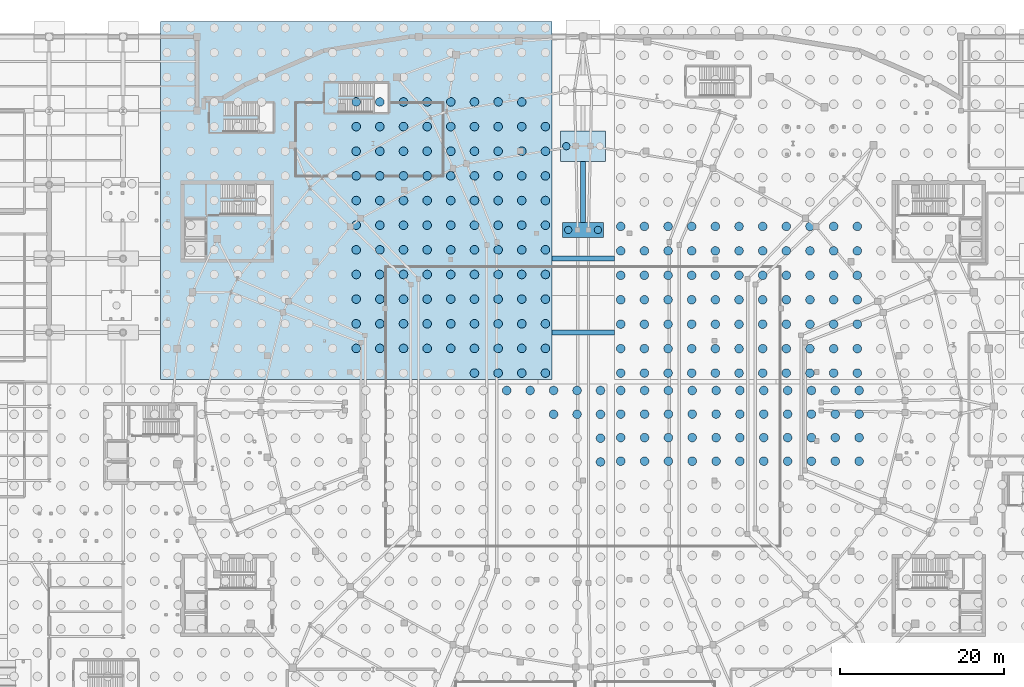
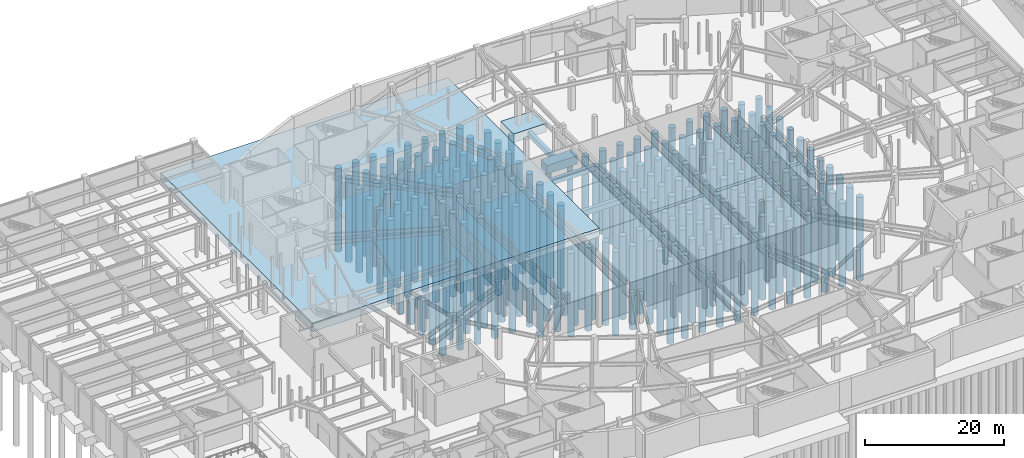
# One storey, part 6 of 56: 236 piles, 6 footings.
"""IFC4 building model written with IfcOpenShell, lengths in metres."""

from ifc_helpers import new_model, si_unit, direction, frame, origin, origin_2d, place, context, subcontext, project, spatial, polyline, rectangle, circle, outline, extrude, material, material_profile, profile_set, type_object, element, save


model = new_model("IFC4")

# Units and contexts
model_context = context("Model", 3, precision=1e-05, world=origin(), true_north=direction((0.0, 1.0)))
body_context = subcontext(model_context, "Body", "Model", "MODEL_VIEW")
ifc_project = project(units=[si_unit("LENGTHUNIT", "METRE"), si_unit("AREAUNIT", "SQUARE_METRE"), si_unit("VOLUMEUNIT", "CUBIC_METRE"), si_unit("PLANEANGLEUNIT", "RADIAN"), si_unit("MASSUNIT", "GRAM", prefix="KILO")], contexts=[model_context])

# Site, building, storey
site_placement = place(None, origin())
site = spatial("IfcSite", under=ifc_project, at=site_placement, CompositionType="ELEMENT")
building_placement = place(site_placement, origin())
building = spatial("IfcBuilding", under=site, at=building_placement, Name="Glasvene Arena", CompositionType="ELEMENT")
storey_placement = place(building_placement, frame((0.0, 0.0, -5.39990234375)))
storey = spatial("IfcBuildingStorey", under=building, at=storey_placement, Name="B1", CompositionType="ELEMENT", Elevation=-5.39990234375)

# Footings
ifc_material = material(Name="Concrete C40/50", Category="concrete")
footing_type_1 = type_object("IfcFootingType", Name="FT-FB-600x900", PredefinedType="FOOTING_BEAM", material=ifc_material)
footing_1_placement = place(storey_placement, frame((92.0, 99.118408203125, -1.35009765625)))
element("IfcFooting", 1, at=footing_1_placement, inside=storey, type_object=footing_type_1, Name="Ground tie beam 0054", PredefinedType="FOOTING_BEAM", context=body_context, shape_type="SweptSolid", body=[
    extrude(outline(polyline([(-0.300048828125, -3.723388671875), (0.300048828125, -3.723388671875), (0.300048828125, 3.7236328125), (-0.300048828125, 3.7236328125), (-0.300048828125, -3.723388671875)])), origin(), (0.0, 0.0, 1.0), 0.89990234375),
])
for number, where, name in (
    (2, (92.0, 82.0, -1.35009765625), "Ground tie beam 0111"),
    (3, (92.0, 91.0, -1.35009765625), "Ground tie beam 0120"),
):
    element("IfcFooting", number, at=place(storey_placement, frame(where)), inside=storey, type_object=footing_type_1, Name=name, PredefinedType="FOOTING_BEAM", context=body_context, shape_type="SweptSolid", body=[
        extrude(outline(polyline([(-3.80810546875, -0.300048828125), (3.80810546875, -0.300048828125), (3.80810546875, 0.300048828125), (-3.80810546875, 0.300048828125), (-3.80810546875, -0.300048828125)])), origin(), (0.0, 0.0, 1.0), 0.89990234375),
    ])
footing_type_2 = type_object("IfcFootingType", Name="FT-PC-4763x4356", PredefinedType="PILE_CAP", material=ifc_material)
footing_2_placement = place(storey_placement, frame((64.37890625, 98.072021484375, -1.5), z_axis=(0.0, 0.0, 1.0), x_axis=(1.0, 0.0, 0.0)))
element("IfcFooting", 4, at=footing_2_placement, inside=storey, type_object=footing_type_2, Name="Pile cap 050", PredefinedType="PILE_CAP", context=body_context, shape_type="SweptSolid", body=[
    extrude(rectangle(XDim=47.6259765625, YDim=43.555908203125, at=origin_2d()), origin(), (0.0, 0.0, 1.0), 1.5),
])
footing_type_3 = type_object("IfcFootingType", Name="FT-PC-502x180", PredefinedType="PILE_CAP", material=ifc_material)
footing_3_placement = place(storey_placement, frame((92.0, 94.494384765625, -1.5), z_axis=(0.0, 0.0, 1.0), x_axis=(1.0, 0.0, 0.0)))
element("IfcFooting", 5, at=footing_3_placement, inside=storey, type_object=footing_type_3, Name="Pile cap 072", PredefinedType="PILE_CAP", context=body_context, shape_type="SweptSolid", body=[
    extrude(rectangle(XDim=5.01611328125, YDim=1.801025390625, at=origin_2d()), origin(), (0.0, 0.0, 1.0), 1.5),
])
footing_type_4 = type_object("IfcFootingType", Name="FT-PC-548x370", PredefinedType="PILE_CAP", material=ifc_material)
footing_4_placement = place(storey_placement, frame((92.0, 104.69189453125, -1.5), z_axis=(0.0, 0.0, 1.0), x_axis=(1.0, 0.0, 0.0)))
element("IfcFooting", 6, at=footing_4_placement, inside=storey, type_object=footing_type_4, Name="Pile cap 084", PredefinedType="PILE_CAP", context=body_context, shape_type="SweptSolid", body=[
    extrude(rectangle(XDim=5.47802734375, YDim=3.699951171875, at=origin_2d()), origin(), (0.0, 0.0, 1.0), 1.5),
])

# Piles
ifc_material_profile_1 = material_profile(ifc_material, circle(Radius=0.52490234375, at=origin_2d()), Name="BORED PILE 1050")
ifc_profile_set_1 = profile_set([ifc_material_profile_1], Name="Concrete C40/50")
pile_type_1 = type_object("IfcPileType", Name="PL-BP1050", PredefinedType="BORED", material=ifc_profile_set_1)
for number, where, z_axis, x_axis, name in (
    (7, (82.696044921875, 74.948974609375, -1.35009765625), (0.0, 0.0, -1.0), (1.0, 0.0, 0.0), "Bored pile 0505"),
    (8, (85.5517578125, 74.948974609375, -1.35009765625), (0.0, 0.0, -1.0), (1.0, 0.0, 0.0), "Bored pile 0526"),
    (9, (88.407470703125, 72.0478515625, -1.35009765625), (0.0, 0.0, -1.0), (1.0, 0.0, 0.0), "Bored pile 0546"),
    (10, (88.407470703125, 74.948974609375, -1.35009765625), (0.0, 0.0, -1.0), (1.0, 0.0, 0.0), "Bored pile 0547"),
    (11, (91.26318359375, 72.0478515625, -1.35009765625), (0.0, 0.0, -1.0), (1.0, 0.0, 0.0), "Bored pile 0567"),
    (12, (91.26318359375, 74.948974609375, -1.35009765625), (0.0, 0.0, -1.0), (1.0, 0.0, 0.0), "Bored pile 0568"),
    (13, (94.118896484375, 66.245361328125, -1.35009765625), (0.0, 0.0, -1.0), (1.0, 0.0, 0.0), "Bored pile 0586"),
    (14, (94.118896484375, 69.146484375, -1.35009765625), (0.0, 0.0, -1.0), (1.0, 0.0, 0.0), "Bored pile 0587"),
    (15, (94.118896484375, 72.0478515625, -1.35009765625), (0.0, 0.0, -1.0), (1.0, 0.0, 0.0), "Bored pile 0588"),
    (16, (94.118896484375, 74.948974609375, -1.35009765625), (0.0, 0.0, -1.0), (1.0, 0.0, 0.0), "Bored pile 0589"),
    (17, (96.5830078125, 66.33984375, -1.35009765625), (0.0, 0.0, -1.0), (1.0, 0.0, 0.0), "Bored pile 0606"),
    (18, (96.5830078125, 69.209716796875, -1.35009765625), (0.0, 0.0, -1.0), (1.0, 0.0, 0.0), "Bored pile 0607"),
    (19, (96.5830078125, 72.079345703125, -1.35009765625), (0.0, 0.0, -1.0), (1.0, 0.0, 0.0), "Bored pile 0608"),
    (20, (96.5830078125, 74.948974609375, -1.35009765625), (0.0, 0.0, -1.0), (1.0, 0.0, 0.0), "Bored pile 0609"),
    (21, (99.48486328125, 66.33984375, -1.35009765625), (0.0, 0.0, -1.0), (1.0, 0.0, 0.0), "Bored pile 0626"),
    (22, (99.48486328125, 69.209716796875, -1.35009765625), (0.0, 0.0, -1.0), (1.0, 0.0, 0.0), "Bored pile 0627"),
    (23, (99.48486328125, 72.079345703125, -1.35009765625), (0.0, 0.0, -1.0), (1.0, 0.0, 0.0), "Bored pile 0628"),
    (24, (99.48486328125, 74.948974609375, -1.35009765625), (0.0, 0.0, -1.0), (1.0, 0.0, 0.0), "Bored pile 0629"),
    (25, (102.38671875, 66.33984375, -1.35009765625), (0.0, 0.0, -1.0), (1.0, 0.0, 0.0), "Bored pile 0646"),
    (26, (102.38671875, 69.209716796875, -1.35009765625), (0.0, 0.0, -1.0), (1.0, 0.0, 0.0), "Bored pile 0647"),
    (27, (102.38671875, 72.079345703125, -1.35009765625), (0.0, 0.0, -1.0), (1.0, 0.0, 0.0), "Bored pile 0648"),
    (28, (102.38671875, 74.948974609375, -1.35009765625), (0.0, 0.0, -1.0), (1.0, 0.0, 0.0), "Bored pile 0649"),
    (29, (105.288818359375, 66.33984375, -1.35009765625), (0.0, 0.0, -1.0), (1.0, 0.0, 0.0), "Bored pile 0666"),
    (30, (105.288818359375, 69.209716796875, -1.35009765625), (0.0, 0.0, -1.0), (1.0, 0.0, 0.0), "Bored pile 0667"),
    (31, (105.288818359375, 72.079345703125, -1.35009765625), (0.0, 0.0, -1.0), (1.0, 0.0, 0.0), "Bored pile 0668"),
    (32, (105.288818359375, 74.948974609375, -1.35009765625), (0.0, 0.0, -1.0), (1.0, 0.0, 0.0), "Bored pile 0669"),
    (33, (108.190673828125, 66.33984375, -1.35009765625), (0.0, 0.0, -1.0), (1.0, 0.0, 0.0), "Bored pile 0686"),
    (34, (108.190673828125, 69.209716796875, -1.35009765625), (0.0, 0.0, -1.0), (1.0, 0.0, 0.0), "Bored pile 0687"),
    (35, (108.190673828125, 72.079345703125, -1.35009765625), (0.0, 0.0, -1.0), (1.0, 0.0, 0.0), "Bored pile 0688"),
    (36, (108.190673828125, 74.948974609375, -1.35009765625), (0.0, 0.0, -1.0), (1.0, 0.0, 0.0), "Bored pile 0689"),
    (37, (111.092529296875, 66.33984375, -1.35009765625), (0.0, 0.0, -1.0), (1.0, 0.0, 0.0), "Bored pile 0706"),
    (38, (111.092529296875, 69.209716796875, -1.35009765625), (0.0, 0.0, -1.0), (1.0, 0.0, 0.0), "Bored pile 0707"),
    (39, (111.092529296875, 72.079345703125, -1.35009765625), (0.0, 0.0, -1.0), (1.0, 0.0, 0.0), "Bored pile 0708"),
    (40, (111.092529296875, 74.948974609375, -1.35009765625), (0.0, 0.0, -1.0), (1.0, 0.0, 0.0), "Bored pile 0709"),
    (41, (113.994384765625, 66.33984375, -1.35009765625), (0.0, 0.0, -1.0), (1.0, 0.0, 0.0), "Bored pile 0726"),
    (42, (113.994384765625, 69.209716796875, -1.35009765625), (0.0, 0.0, -1.0), (1.0, 0.0, 0.0), "Bored pile 0727"),
    (43, (113.994384765625, 72.079345703125, -1.35009765625), (0.0, 0.0, -1.0), (1.0, 0.0, 0.0), "Bored pile 0728"),
    (44, (113.994384765625, 74.948974609375, -1.35009765625), (0.0, 0.0, -1.0), (1.0, 0.0, 0.0), "Bored pile 0729"),
    (45, (116.896484375, 66.33984375, -1.35009765625), (0.0, 0.0, -1.0), (1.0, 0.0, 0.0), "Bored pile 0746"),
    (46, (116.896484375, 69.209716796875, -1.35009765625), (0.0, 0.0, -1.0), (1.0, 0.0, 0.0), "Bored pile 0747"),
    (47, (116.896484375, 72.079345703125, -1.35009765625), (0.0, 0.0, -1.0), (1.0, 0.0, 0.0), "Bored pile 0748"),
    (48, (116.896484375, 74.948974609375, -1.35009765625), (0.0, 0.0, -1.0), (1.0, 0.0, 0.0), "Bored pile 0749"),
    (49, (119.79833984375, 66.33984375, -1.35009765625), (0.0, 0.0, -1.0), (1.0, 0.0, 0.0), "Bored pile 0766"),
    (50, (119.79833984375, 69.209716796875, -1.35009765625), (0.0, 0.0, -1.0), (1.0, 0.0, 0.0), "Bored pile 0767"),
    (51, (119.79833984375, 72.079345703125, -1.35009765625), (0.0, 0.0, -1.0), (1.0, 0.0, 0.0), "Bored pile 0768"),
    (52, (119.79833984375, 74.948974609375, -1.35009765625), (0.0, 0.0, -1.0), (1.0, 0.0, 0.0), "Bored pile 0769"),
    (53, (122.7001953125, 66.33984375, -1.35009765625), (0.0, 0.0, -1.0), (1.0, 0.0, 0.0), "Bored pile 0786"),
    (54, (122.7001953125, 69.209716796875, -1.35009765625), (0.0, 0.0, -1.0), (1.0, 0.0, 0.0), "Bored pile 0787"),
    (55, (122.7001953125, 72.079345703125, -1.35009765625), (0.0, 0.0, -1.0), (1.0, 0.0, 0.0), "Bored pile 0788"),
    (56, (122.7001953125, 74.948974609375, -1.35009765625), (0.0, 0.0, -1.0), (1.0, 0.0, 0.0), "Bored pile 0789"),
    (57, (125.60205078125, 66.33984375, -1.35009765625), (0.0, 0.0, -1.0), (1.0, 0.0, 0.0), "Bored pile 0806"),
    (58, (125.60205078125, 69.209716796875, -1.35009765625), (0.0, 0.0, -1.0), (1.0, 0.0, 0.0), "Bored pile 0807"),
    (59, (125.60205078125, 72.079345703125, -1.35009765625), (0.0, 0.0, -1.0), (1.0, 0.0, 0.0), "Bored pile 0808"),
    (60, (125.60205078125, 74.948974609375, -1.35009765625), (0.0, 0.0, -1.0), (1.0, 0.0, 0.0), "Bored pile 0809"),
    (61, (64.37890625, 80.0693359375, -1.35009765625), (0.0, 0.0, -1.0), (1.0, 0.0, 0.0), "Bored pile 1208"),
    (62, (64.37890625, 83.06982421875, -1.35009765625), (0.0, 0.0, -1.0), (1.0, 0.0, 0.0), "Bored pile 1209"),
    (63, (64.37890625, 86.0703125, -1.35009765625), (0.0, 0.0, -1.0), (1.0, 0.0, 0.0), "Bored pile 1210"),
    (64, (64.37890625, 89.07080078125, -1.35009765625), (0.0, 0.0, -1.0), (1.0, 0.0, 0.0), "Bored pile 1211"),
    (65, (64.37890625, 92.071044921875, -1.35009765625), (0.0, 0.0, -1.0), (1.0, 0.0, 0.0), "Bored pile 1212"),
    (66, (64.37890625, 95.071533203125, -1.35009765625), (0.0, 0.0, -1.0), (1.0, 0.0, 0.0), "Bored pile 1213"),
    (67, (64.37890625, 98.072021484375, -1.35009765625), (0.0, 0.0, -1.0), (1.0, 0.0, 0.0), "Bored pile 1214"),
    (68, (64.37890625, 101.072509765625, -1.35009765625), (0.0, 0.0, -1.0), (1.0, 0.0, 0.0), "Bored pile 1215"),
    (69, (64.37890625, 104.072998046875, -1.35009765625), (0.0, 0.0, -1.0), (1.0, 0.0, 0.0), "Bored pile 1216"),
    (70, (64.37890625, 107.0732421875, -1.35009765625), (0.0, 0.0, -1.0), (1.0, 0.0, 0.0), "Bored pile 1217"),
    (71, (64.37890625, 110.07373046875, -1.35009765625), (0.0, 0.0, -1.0), (1.0, 0.0, 0.0), "Bored pile 1218"),
    (72, (67.2587890625, 80.0693359375, -1.35009765625), (0.0, 0.0, -1.0), (1.0, 0.0, 0.0), "Bored pile 1223"),
    (73, (67.2587890625, 83.06982421875, -1.35009765625), (0.0, 0.0, -1.0), (1.0, 0.0, 0.0), "Bored pile 1224"),
    (74, (67.2587890625, 86.0703125, -1.35009765625), (0.0, 0.0, -1.0), (1.0, 0.0, 0.0), "Bored pile 1225"),
    (75, (67.2587890625, 89.07080078125, -1.35009765625), (0.0, 0.0, -1.0), (1.0, 0.0, 0.0), "Bored pile 1226"),
    (76, (67.2587890625, 92.071044921875, -1.35009765625), (0.0, 0.0, -1.0), (1.0, 0.0, 0.0), "Bored pile 1227"),
    (77, (67.2587890625, 95.071533203125, -1.35009765625), (0.0, 0.0, -1.0), (1.0, 0.0, 0.0), "Bored pile 1228"),
    (78, (67.2587890625, 98.072021484375, -1.35009765625), (0.0, 0.0, -1.0), (1.0, 0.0, 0.0), "Bored pile 1229"),
    (79, (67.2587890625, 101.072509765625, -1.35009765625), (0.0, 0.0, -1.0), (1.0, 0.0, 0.0), "Bored pile 1230"),
    (80, (67.2587890625, 104.072998046875, -1.35009765625), (0.0, 0.0, -1.0), (1.0, 0.0, 0.0), "Bored pile 1231"),
    (81, (67.2587890625, 107.0732421875, -1.35009765625), (0.0, 0.0, -1.0), (1.0, 0.0, 0.0), "Bored pile 1232"),
    (82, (67.2587890625, 110.07373046875, -1.35009765625), (0.0, 0.0, -1.0), (1.0, 0.0, 0.0), "Bored pile 1233"),
    (83, (70.138427734375, 80.0693359375, -1.35009765625), (0.0, 0.0, -1.0), (1.0, 0.0, 0.0), "Bored pile 1238"),
    (84, (70.138427734375, 83.06982421875, -1.35009765625), (0.0, 0.0, -1.0), (1.0, 0.0, 0.0), "Bored pile 1239"),
    (85, (70.138427734375, 86.0703125, -1.35009765625), (0.0, 0.0, -1.0), (1.0, 0.0, 0.0), "Bored pile 1240"),
    (86, (70.138427734375, 89.07080078125, -1.35009765625), (0.0, 0.0, -1.0), (1.0, 0.0, 0.0), "Bored pile 1241"),
    (87, (70.138427734375, 92.071044921875, -1.35009765625), (0.0, 0.0, -1.0), (1.0, 0.0, 0.0), "Bored pile 1242"),
    (88, (70.138427734375, 95.071533203125, -1.35009765625), (0.0, 0.0, -1.0), (1.0, 0.0, 0.0), "Bored pile 1243"),
    (89, (70.138427734375, 98.072021484375, -1.35009765625), (0.0, 0.0, -1.0), (1.0, 0.0, 0.0), "Bored pile 1244"),
    (90, (70.138427734375, 101.072509765625, -1.35009765625), (0.0, 0.0, -1.0), (1.0, 0.0, 0.0), "Bored pile 1245"),
    (91, (70.138427734375, 104.072998046875, -1.35009765625), (0.0, 0.0, -1.0), (1.0, 0.0, 0.0), "Bored pile 1246"),
    (92, (70.138427734375, 107.0732421875, -1.35009765625), (0.0, 0.0, -1.0), (1.0, 0.0, 0.0), "Bored pile 1247"),
    (93, (70.138427734375, 110.07373046875, -1.35009765625), (0.0, 0.0, -1.0), (1.0, 0.0, 0.0), "Bored pile 1248"),
    (94, (73.018310546875, 80.0693359375, -1.35009765625), (0.0, 0.0, -1.0), (1.0, 0.0, 0.0), "Bored pile 1253"),
    (95, (73.018310546875, 83.06982421875, -1.35009765625), (0.0, 0.0, -1.0), (1.0, 0.0, 0.0), "Bored pile 1254"),
    (96, (73.018310546875, 86.0703125, -1.35009765625), (0.0, 0.0, -1.0), (1.0, 0.0, 0.0), "Bored pile 1255"),
    (97, (73.018310546875, 89.07080078125, -1.35009765625), (0.0, 0.0, -1.0), (1.0, 0.0, 0.0), "Bored pile 1256"),
    (98, (73.018310546875, 92.071044921875, -1.35009765625), (0.0, 0.0, -1.0), (1.0, 0.0, 0.0), "Bored pile 1257"),
    (99, (73.018310546875, 95.071533203125, -1.35009765625), (0.0, 0.0, -1.0), (1.0, 0.0, 0.0), "Bored pile 1258"),
    (100, (73.018310546875, 98.072021484375, -1.35009765625), (0.0, 0.0, -1.0), (1.0, 0.0, 0.0), "Bored pile 1259"),
    (101, (73.018310546875, 101.072509765625, -1.35009765625), (0.0, 0.0, -1.0), (1.0, 0.0, 0.0), "Bored pile 1260"),
    (102, (73.018310546875, 104.072998046875, -1.35009765625), (0.0, 0.0, -1.0), (1.0, 0.0, 0.0), "Bored pile 1261"),
    (103, (73.018310546875, 107.0732421875, -1.35009765625), (0.0, 0.0, -1.0), (1.0, 0.0, 0.0), "Bored pile 1262"),
    (104, (73.018310546875, 110.07373046875, -1.35009765625), (0.0, 0.0, -1.0), (1.0, 0.0, 0.0), "Bored pile 1263"),
    (105, (75.89794921875, 80.0693359375, -1.35009765625), (0.0, 0.0, -1.0), (1.0, 0.0, 0.0), "Bored pile 1268"),
    (106, (75.89794921875, 83.06982421875, -1.35009765625), (0.0, 0.0, -1.0), (1.0, 0.0, 0.0), "Bored pile 1269"),
    (107, (75.89794921875, 86.0703125, -1.35009765625), (0.0, 0.0, -1.0), (1.0, 0.0, 0.0), "Bored pile 1270"),
    (108, (75.89794921875, 89.07080078125, -1.35009765625), (0.0, 0.0, -1.0), (1.0, 0.0, 0.0), "Bored pile 1271"),
    (109, (75.89794921875, 92.071044921875, -1.35009765625), (0.0, 0.0, -1.0), (1.0, 0.0, 0.0), "Bored pile 1272"),
    (110, (75.89794921875, 95.071533203125, -1.35009765625), (0.0, 0.0, -1.0), (1.0, 0.0, 0.0), "Bored pile 1273"),
    (111, (75.89794921875, 98.072021484375, -1.35009765625), (0.0, 0.0, -1.0), (1.0, 0.0, 0.0), "Bored pile 1274"),
    (112, (75.89794921875, 101.072509765625, -1.35009765625), (0.0, 0.0, -1.0), (1.0, 0.0, 0.0), "Bored pile 1275"),
    (113, (75.89794921875, 104.072998046875, -1.35009765625), (0.0, 0.0, -1.0), (1.0, 0.0, 0.0), "Bored pile 1276"),
    (114, (75.89794921875, 107.0732421875, -1.35009765625), (0.0, 0.0, -1.0), (1.0, 0.0, 0.0), "Bored pile 1277"),
    (115, (75.89794921875, 110.07373046875, -1.35009765625), (0.0, 0.0, -1.0), (1.0, 0.0, 0.0), "Bored pile 1278"),
    (116, (78.777587890625, 77.069091796875, -1.35009765625), (0.0, 0.0, -1.0), (1.0, 0.0, 0.0), "Bored pile 1282"),
    (117, (78.777587890625, 80.0693359375, -1.35009765625), (0.0, 0.0, -1.0), (1.0, 0.0, 0.0), "Bored pile 1283"),
    (118, (78.777587890625, 83.06982421875, -1.35009765625), (0.0, 0.0, -1.0), (1.0, 0.0, 0.0), "Bored pile 1284"),
    (119, (78.777587890625, 86.0703125, -1.35009765625), (0.0, 0.0, -1.0), (1.0, 0.0, 0.0), "Bored pile 1285"),
    (120, (78.777587890625, 89.07080078125, -1.35009765625), (0.0, 0.0, -1.0), (1.0, 0.0, 0.0), "Bored pile 1286"),
    (121, (78.777587890625, 92.071044921875, -1.35009765625), (0.0, 0.0, -1.0), (1.0, 0.0, 0.0), "Bored pile 1287"),
    (122, (78.777587890625, 95.071533203125, -1.35009765625), (0.0, 0.0, -1.0), (1.0, 0.0, 0.0), "Bored pile 1288"),
    (123, (78.777587890625, 98.072021484375, -1.35009765625), (0.0, 0.0, -1.0), (1.0, 0.0, 0.0), "Bored pile 1289"),
    (124, (78.777587890625, 101.072509765625, -1.35009765625), (0.0, 0.0, -1.0), (1.0, 0.0, 0.0), "Bored pile 1290"),
    (125, (78.777587890625, 104.072998046875, -1.35009765625), (0.0, 0.0, -1.0), (1.0, 0.0, 0.0), "Bored pile 1291"),
    (126, (78.777587890625, 107.0732421875, -1.35009765625), (0.0, 0.0, -1.0), (1.0, 0.0, 0.0), "Bored pile 1292"),
    (127, (78.777587890625, 110.07373046875, -1.35009765625), (0.0, 0.0, -1.0), (1.0, 0.0, 0.0), "Bored pile 1293"),
    (128, (81.657470703125, 77.069091796875, -1.35009765625), (0.0, 0.0, -1.0), (1.0, 0.0, 0.0), "Bored pile 1297"),
    (129, (81.657470703125, 80.0693359375, -1.35009765625), (0.0, 0.0, -1.0), (1.0, 0.0, 0.0), "Bored pile 1298"),
    (130, (81.657470703125, 83.06982421875, -1.35009765625), (0.0, 0.0, -1.0), (1.0, 0.0, 0.0), "Bored pile 1299"),
    (131, (81.657470703125, 86.0703125, -1.35009765625), (0.0, 0.0, -1.0), (1.0, 0.0, 0.0), "Bored pile 1300"),
    (132, (81.657470703125, 89.07080078125, -1.35009765625), (0.0, 0.0, -1.0), (1.0, 0.0, 0.0), "Bored pile 1301"),
    (133, (81.657470703125, 92.071044921875, -1.35009765625), (0.0, 0.0, -1.0), (1.0, 0.0, 0.0), "Bored pile 1302"),
    (134, (81.657470703125, 95.071533203125, -1.35009765625), (0.0, 0.0, -1.0), (1.0, 0.0, 0.0), "Bored pile 1303"),
    (135, (81.657470703125, 98.072021484375, -1.35009765625), (0.0, 0.0, -1.0), (1.0, 0.0, 0.0), "Bored pile 1304"),
    (136, (81.657470703125, 101.072509765625, -1.35009765625), (0.0, 0.0, -1.0), (1.0, 0.0, 0.0), "Bored pile 1305"),
    (137, (81.657470703125, 104.072998046875, -1.35009765625), (0.0, 0.0, -1.0), (1.0, 0.0, 0.0), "Bored pile 1306"),
    (138, (81.657470703125, 107.0732421875, -1.35009765625), (0.0, 0.0, -1.0), (1.0, 0.0, 0.0), "Bored pile 1307"),
    (139, (81.657470703125, 110.07373046875, -1.35009765625), (0.0, 0.0, -1.0), (1.0, 0.0, 0.0), "Bored pile 1308"),
    (140, (84.537353515625, 77.069091796875, -1.35009765625), (0.0, 0.0, -1.0), (1.0, 0.0, 0.0), "Bored pile 1312"),
    (141, (84.537353515625, 80.0693359375, -1.35009765625), (0.0, 0.0, -1.0), (1.0, 0.0, 0.0), "Bored pile 1313"),
    (142, (84.537353515625, 83.06982421875, -1.35009765625), (0.0, 0.0, -1.0), (1.0, 0.0, 0.0), "Bored pile 1314"),
    (143, (84.537353515625, 86.0703125, -1.35009765625), (0.0, 0.0, -1.0), (1.0, 0.0, 0.0), "Bored pile 1315"),
    (144, (84.537353515625, 89.07080078125, -1.35009765625), (0.0, 0.0, -1.0), (1.0, 0.0, 0.0), "Bored pile 1316"),
    (145, (84.537353515625, 92.071044921875, -1.35009765625), (0.0, 0.0, -1.0), (1.0, 0.0, 0.0), "Bored pile 1317"),
    (146, (84.537353515625, 95.071533203125, -1.35009765625), (0.0, 0.0, -1.0), (1.0, 0.0, 0.0), "Bored pile 1318"),
    (147, (84.537353515625, 98.072021484375, -1.35009765625), (0.0, 0.0, -1.0), (1.0, 0.0, 0.0), "Bored pile 1319"),
    (148, (84.537353515625, 101.072509765625, -1.35009765625), (0.0, 0.0, -1.0), (1.0, 0.0, 0.0), "Bored pile 1320"),
    (149, (84.537353515625, 104.072998046875, -1.35009765625), (0.0, 0.0, -1.0), (1.0, 0.0, 0.0), "Bored pile 1321"),
    (150, (84.537353515625, 107.0732421875, -1.35009765625), (0.0, 0.0, -1.0), (1.0, 0.0, 0.0), "Bored pile 1322"),
    (151, (84.537353515625, 110.07373046875, -1.35009765625), (0.0, 0.0, -1.0), (1.0, 0.0, 0.0), "Bored pile 1323"),
    (152, (87.4169921875, 77.069091796875, -1.35009765625), (0.0, 0.0, -1.0), (1.0, 0.0, 0.0), "Bored pile 1327"),
    (153, (87.4169921875, 80.0693359375, -1.35009765625), (0.0, 0.0, -1.0), (1.0, 0.0, 0.0), "Bored pile 1328"),
    (154, (87.4169921875, 83.06982421875, -1.35009765625), (0.0, 0.0, -1.0), (1.0, 0.0, 0.0), "Bored pile 1329"),
    (155, (87.4169921875, 86.0703125, -1.35009765625), (0.0, 0.0, -1.0), (1.0, 0.0, 0.0), "Bored pile 1330"),
    (156, (87.4169921875, 89.07080078125, -1.35009765625), (0.0, 0.0, -1.0), (1.0, 0.0, 0.0), "Bored pile 1331"),
    (157, (87.4169921875, 92.071044921875, -1.35009765625), (0.0, 0.0, -1.0), (1.0, 0.0, 0.0), "Bored pile 1332"),
    (158, (87.4169921875, 95.071533203125, -1.35009765625), (0.0, 0.0, -1.0), (1.0, 0.0, 0.0), "Bored pile 1333"),
    (159, (87.4169921875, 98.072021484375, -1.35009765625), (0.0, 0.0, -1.0), (1.0, 0.0, 0.0), "Bored pile 1334"),
    (160, (87.4169921875, 101.072509765625, -1.35009765625), (0.0, 0.0, -1.0), (1.0, 0.0, 0.0), "Bored pile 1335"),
    (161, (87.4169921875, 104.072998046875, -1.35009765625), (0.0, 0.0, -1.0), (1.0, 0.0, 0.0), "Bored pile 1336"),
    (162, (87.4169921875, 107.0732421875, -1.35009765625), (0.0, 0.0, -1.0), (1.0, 0.0, 0.0), "Bored pile 1337"),
    (163, (96.5830078125, 77.069091796875, -1.35009765625), (0.0, 0.0, -1.0), (1.0, 0.0, 0.0), "Bored pile 1342"),
    (164, (96.5830078125, 80.044189453125, -1.35009765625), (0.0, 0.0, -1.0), (1.0, 0.0, 0.0), "Bored pile 1343"),
    (165, (96.5830078125, 83.019287109375, -1.35009765625), (0.0, 0.0, -1.0), (1.0, 0.0, 0.0), "Bored pile 1344"),
    (166, (96.5830078125, 85.994384765625, -1.35009765625), (0.0, 0.0, -1.0), (1.0, 0.0, 0.0), "Bored pile 1345"),
    (167, (96.5830078125, 88.969482421875, -1.35009765625), (0.0, 0.0, -1.0), (1.0, 0.0, 0.0), "Bored pile 1346"),
    (168, (96.5830078125, 91.944580078125, -1.35009765625), (0.0, 0.0, -1.0), (1.0, 0.0, 0.0), "Bored pile 1347"),
    (169, (96.5830078125, 94.919921875, -1.35009765625), (0.0, 0.0, -1.0), (1.0, 0.0, 0.0), "Bored pile 1348"),
    (170, (99.462890625, 77.069091796875, -1.35009765625), (0.0, 0.0, -1.0), (1.0, 0.0, 0.0), "Bored pile 1357"),
    (171, (99.462890625, 80.044189453125, -1.35009765625), (0.0, 0.0, -1.0), (1.0, 0.0, 0.0), "Bored pile 1358"),
    (172, (99.462890625, 83.019287109375, -1.35009765625), (0.0, 0.0, -1.0), (1.0, 0.0, 0.0), "Bored pile 1359"),
    (173, (99.462890625, 85.994384765625, -1.35009765625), (0.0, 0.0, -1.0), (1.0, 0.0, 0.0), "Bored pile 1360"),
    (174, (99.462890625, 88.969482421875, -1.35009765625), (0.0, 0.0, -1.0), (1.0, 0.0, 0.0), "Bored pile 1361"),
    (175, (99.462890625, 91.944580078125, -1.35009765625), (0.0, 0.0, -1.0), (1.0, 0.0, 0.0), "Bored pile 1362"),
    (176, (99.462890625, 94.919921875, -1.35009765625), (0.0, 0.0, -1.0), (1.0, 0.0, 0.0), "Bored pile 1363"),
    (177, (102.342529296875, 77.069091796875, -1.35009765625), (0.0, 0.0, -1.0), (1.0, 0.0, 0.0), "Bored pile 1372"),
    (178, (102.342529296875, 80.044189453125, -1.35009765625), (0.0, 0.0, -1.0), (1.0, 0.0, 0.0), "Bored pile 1373"),
    (179, (102.342529296875, 83.019287109375, -1.35009765625), (0.0, 0.0, -1.0), (1.0, 0.0, 0.0), "Bored pile 1374"),
    (180, (102.342529296875, 85.994384765625, -1.35009765625), (0.0, 0.0, -1.0), (1.0, 0.0, 0.0), "Bored pile 1375"),
    (181, (102.342529296875, 88.969482421875, -1.35009765625), (0.0, 0.0, -1.0), (1.0, 0.0, 0.0), "Bored pile 1376"),
    (182, (102.342529296875, 91.944580078125, -1.35009765625), (0.0, 0.0, -1.0), (1.0, 0.0, 0.0), "Bored pile 1377"),
    (183, (102.342529296875, 94.919921875, -1.35009765625), (0.0, 0.0, -1.0), (1.0, 0.0, 0.0), "Bored pile 1378"),
    (184, (105.222412109375, 77.069091796875, -1.35009765625), (0.0, 0.0, -1.0), (1.0, 0.0, 0.0), "Bored pile 1387"),
    (185, (105.222412109375, 80.044189453125, -1.35009765625), (0.0, 0.0, -1.0), (1.0, 0.0, 0.0), "Bored pile 1388"),
    (186, (105.222412109375, 83.019287109375, -1.35009765625), (0.0, 0.0, -1.0), (1.0, 0.0, 0.0), "Bored pile 1389"),
    (187, (105.222412109375, 85.994384765625, -1.35009765625), (0.0, 0.0, -1.0), (1.0, 0.0, 0.0), "Bored pile 1390"),
    (188, (105.222412109375, 88.969482421875, -1.35009765625), (0.0, 0.0, -1.0), (1.0, 0.0, 0.0), "Bored pile 1391"),
    (189, (105.222412109375, 91.944580078125, -1.35009765625), (0.0, 0.0, -1.0), (1.0, 0.0, 0.0), "Bored pile 1392"),
    (190, (105.222412109375, 94.919921875, -1.35009765625), (0.0, 0.0, -1.0), (1.0, 0.0, 0.0), "Bored pile 1393"),
    (191, (108.10205078125, 77.069091796875, -1.35009765625), (0.0, 0.0, -1.0), (1.0, 0.0, 0.0), "Bored pile 1402"),
    (192, (108.10205078125, 80.044189453125, -1.35009765625), (0.0, 0.0, -1.0), (1.0, 0.0, 0.0), "Bored pile 1403"),
    (193, (108.10205078125, 83.019287109375, -1.35009765625), (0.0, 0.0, -1.0), (1.0, 0.0, 0.0), "Bored pile 1404"),
    (194, (108.10205078125, 85.994384765625, -1.35009765625), (0.0, 0.0, -1.0), (1.0, 0.0, 0.0), "Bored pile 1405"),
    (195, (108.10205078125, 88.969482421875, -1.35009765625), (0.0, 0.0, -1.0), (1.0, 0.0, 0.0), "Bored pile 1406"),
    (196, (108.10205078125, 91.944580078125, -1.35009765625), (0.0, 0.0, -1.0), (1.0, 0.0, 0.0), "Bored pile 1407"),
    (197, (108.10205078125, 94.919921875, -1.35009765625), (0.0, 0.0, -1.0), (1.0, 0.0, 0.0), "Bored pile 1408"),
    (198, (110.981689453125, 77.069091796875, -1.35009765625), (0.0, 0.0, -1.0), (1.0, 0.0, 0.0), "Bored pile 1417"),
    (199, (110.981689453125, 80.044189453125, -1.35009765625), (0.0, 0.0, -1.0), (1.0, 0.0, 0.0), "Bored pile 1418"),
    (200, (110.981689453125, 83.019287109375, -1.35009765625), (0.0, 0.0, -1.0), (1.0, 0.0, 0.0), "Bored pile 1419"),
    (201, (110.981689453125, 85.994384765625, -1.35009765625), (0.0, 0.0, -1.0), (1.0, 0.0, 0.0), "Bored pile 1420"),
    (202, (110.981689453125, 88.969482421875, -1.35009765625), (0.0, 0.0, -1.0), (1.0, 0.0, 0.0), "Bored pile 1421"),
    (203, (110.981689453125, 91.944580078125, -1.35009765625), (0.0, 0.0, -1.0), (1.0, 0.0, 0.0), "Bored pile 1422"),
    (204, (110.981689453125, 94.919921875, -1.35009765625), (0.0, 0.0, -1.0), (1.0, 0.0, 0.0), "Bored pile 1423"),
    (205, (113.861572265625, 77.069091796875, -1.35009765625), (0.0, 0.0, -1.0), (1.0, 0.0, 0.0), "Bored pile 1432"),
    (206, (113.861572265625, 80.044189453125, -1.35009765625), (0.0, 0.0, -1.0), (1.0, 0.0, 0.0), "Bored pile 1433"),
    (207, (113.861572265625, 83.019287109375, -1.35009765625), (0.0, 0.0, -1.0), (1.0, 0.0, 0.0), "Bored pile 1434"),
    (208, (113.861572265625, 85.994384765625, -1.35009765625), (0.0, 0.0, -1.0), (1.0, 0.0, 0.0), "Bored pile 1435"),
    (209, (113.861572265625, 88.969482421875, -1.35009765625), (0.0, 0.0, -1.0), (1.0, 0.0, 0.0), "Bored pile 1436"),
    (210, (113.861572265625, 91.944580078125, -1.35009765625), (0.0, 0.0, -1.0), (1.0, 0.0, 0.0), "Bored pile 1437"),
    (211, (113.861572265625, 94.919921875, -1.35009765625), (0.0, 0.0, -1.0), (1.0, 0.0, 0.0), "Bored pile 1438"),
    (212, (116.7412109375, 77.069091796875, -1.35009765625), (0.0, 0.0, -1.0), (1.0, 0.0, 0.0), "Bored pile 1447"),
    (213, (116.7412109375, 80.044189453125, -1.35009765625), (0.0, 0.0, -1.0), (1.0, 0.0, 0.0), "Bored pile 1448"),
    (214, (116.7412109375, 83.019287109375, -1.35009765625), (0.0, 0.0, -1.0), (1.0, 0.0, 0.0), "Bored pile 1449"),
    (215, (116.7412109375, 85.994384765625, -1.35009765625), (0.0, 0.0, -1.0), (1.0, 0.0, 0.0), "Bored pile 1450"),
    (216, (116.7412109375, 88.969482421875, -1.35009765625), (0.0, 0.0, -1.0), (1.0, 0.0, 0.0), "Bored pile 1451"),
    (217, (116.7412109375, 91.944580078125, -1.35009765625), (0.0, 0.0, -1.0), (1.0, 0.0, 0.0), "Bored pile 1452"),
    (218, (116.7412109375, 94.919921875, -1.35009765625), (0.0, 0.0, -1.0), (1.0, 0.0, 0.0), "Bored pile 1453"),
    (219, (119.62109375, 77.069091796875, -1.35009765625), (0.0, 0.0, -1.0), (1.0, 0.0, 0.0), "Bored pile 1462"),
    (220, (119.62109375, 80.044189453125, -1.35009765625), (0.0, 0.0, -1.0), (1.0, 0.0, 0.0), "Bored pile 1463"),
    (221, (119.62109375, 83.019287109375, -1.35009765625), (0.0, 0.0, -1.0), (1.0, 0.0, 0.0), "Bored pile 1464"),
    (222, (119.62109375, 85.994384765625, -1.35009765625), (0.0, 0.0, -1.0), (1.0, 0.0, 0.0), "Bored pile 1465"),
    (223, (119.62109375, 88.969482421875, -1.35009765625), (0.0, 0.0, -1.0), (1.0, 0.0, 0.0), "Bored pile 1466"),
    (224, (119.62109375, 91.944580078125, -1.35009765625), (0.0, 0.0, -1.0), (1.0, 0.0, 0.0), "Bored pile 1467"),
    (225, (119.62109375, 94.919921875, -1.35009765625), (0.0, 0.0, -1.0), (1.0, 0.0, 0.0), "Bored pile 1468"),
    (226, (122.500732421875, 77.069091796875, -1.35009765625), (0.0, 0.0, -1.0), (1.0, 0.0, 0.0), "Bored pile 1477"),
    (227, (122.500732421875, 80.044189453125, -1.35009765625), (0.0, 0.0, -1.0), (1.0, 0.0, 0.0), "Bored pile 1478"),
    (228, (122.500732421875, 83.019287109375, -1.35009765625), (0.0, 0.0, -1.0), (1.0, 0.0, 0.0), "Bored pile 1479"),
    (229, (122.500732421875, 85.994384765625, -1.35009765625), (0.0, 0.0, -1.0), (1.0, 0.0, 0.0), "Bored pile 1480"),
    (230, (122.500732421875, 88.969482421875, -1.35009765625), (0.0, 0.0, -1.0), (1.0, 0.0, 0.0), "Bored pile 1481"),
    (231, (122.500732421875, 91.944580078125, -1.35009765625), (0.0, 0.0, -1.0), (1.0, 0.0, 0.0), "Bored pile 1482"),
    (232, (122.500732421875, 94.919921875, -1.35009765625), (0.0, 0.0, -1.0), (1.0, 0.0, 0.0), "Bored pile 1483"),
    (233, (125.380615234375, 77.069091796875, -1.35009765625), (0.0, 0.0, -1.0), (1.0, 0.0, 0.0), "Bored pile 1492"),
    (234, (125.380615234375, 80.044189453125, -1.35009765625), (0.0, 0.0, -1.0), (1.0, 0.0, 0.0), "Bored pile 1493"),
    (235, (125.380615234375, 83.019287109375, -1.35009765625), (0.0, 0.0, -1.0), (1.0, 0.0, 0.0), "Bored pile 1494"),
    (236, (125.380615234375, 85.994384765625, -1.35009765625), (0.0, 0.0, -1.0), (1.0, 0.0, 0.0), "Bored pile 1495"),
    (237, (125.380615234375, 88.969482421875, -1.35009765625), (0.0, 0.0, -1.0), (1.0, 0.0, 0.0), "Bored pile 1496"),
    (238, (125.380615234375, 91.944580078125, -1.35009765625), (0.0, 0.0, -1.0), (1.0, 0.0, 0.0), "Bored pile 1497"),
    (239, (125.380615234375, 94.919921875, -1.35009765625), (0.0, 0.0, -1.0), (1.0, 0.0, 0.0), "Bored pile 1498"),
):
    element("IfcPile", number, at=place(storey_placement, frame(where, z_axis=z_axis, x_axis=x_axis)), inside=storey, type_object=pile_type_1, Name=name, PredefinedType="BORED", context=body_context, shape_type="SweptSolid", body=[
        extrude(circle(Radius=0.52490234375, at=origin_2d()), origin(), (0.0, 0.0, 1.0), 14.64990234375),
    ])
ifc_material_profile_2 = material_profile(ifc_material, circle(Radius=0.449951171875, at=origin_2d()), Name="BORED PILE 900")
ifc_profile_set_2 = profile_set([ifc_material_profile_2], Name="Concrete C40/50")
pile_type_2 = type_object("IfcPileType", Name="PL-BP900", PredefinedType="BORED", material=ifc_profile_set_2)
for number, where, z_axis, x_axis, name in (
    (240, (90.19189453125, 94.494384765625, -1.35009765625), (0.0, 0.0, -1.0), (1.0, 0.0, 0.0), "Bored pile 1628"),
    (241, (93.80810546875, 94.494384765625, -1.35009765625), (0.0, 0.0, -1.0), (1.0, 0.0, 0.0), "Bored pile 1629"),
    (242, (89.9609375, 104.69189453125, -1.35009765625), (0.0, 0.0, -1.0), (1.0, 0.0, 0.0), "Bored pile 1644"),
):
    element("IfcPile", number, at=place(storey_placement, frame(where, z_axis=z_axis, x_axis=x_axis)), inside=storey, type_object=pile_type_2, Name=name, PredefinedType="BORED", context=body_context, shape_type="SweptSolid", body=[
        extrude(circle(Radius=0.449951171875, at=origin_2d()), origin(), (0.0, 0.0, 1.0), 14.64990234375),
    ])

save(model, "model.ifc")
